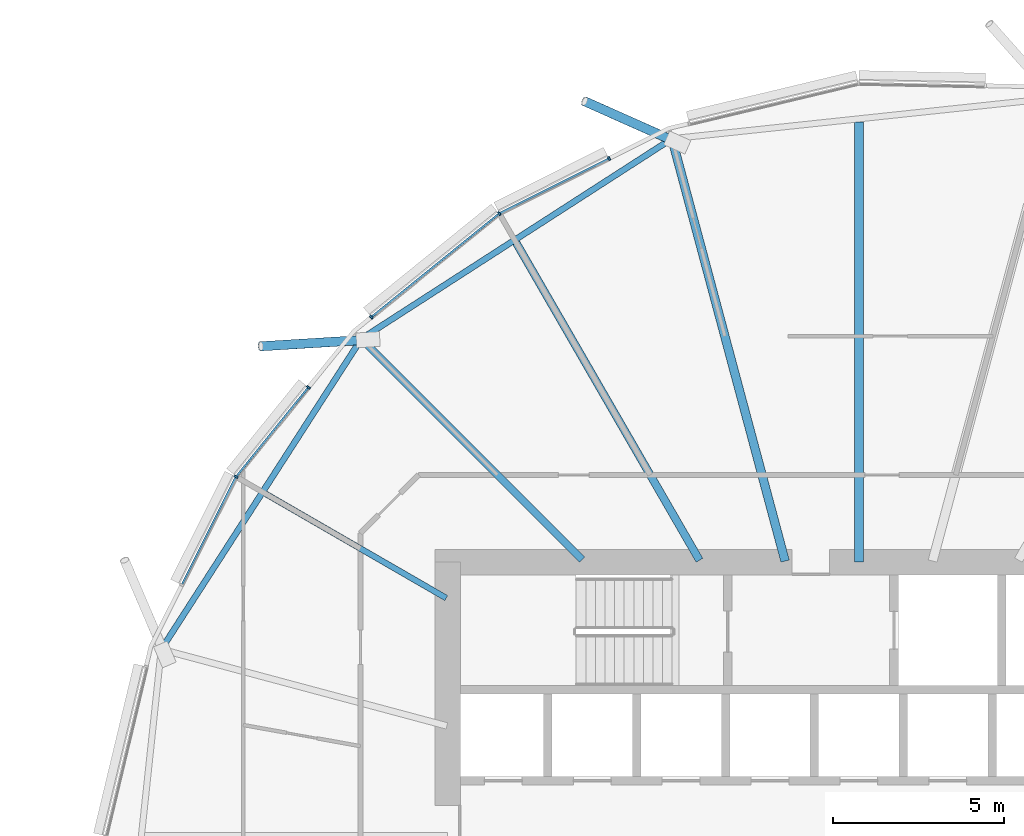
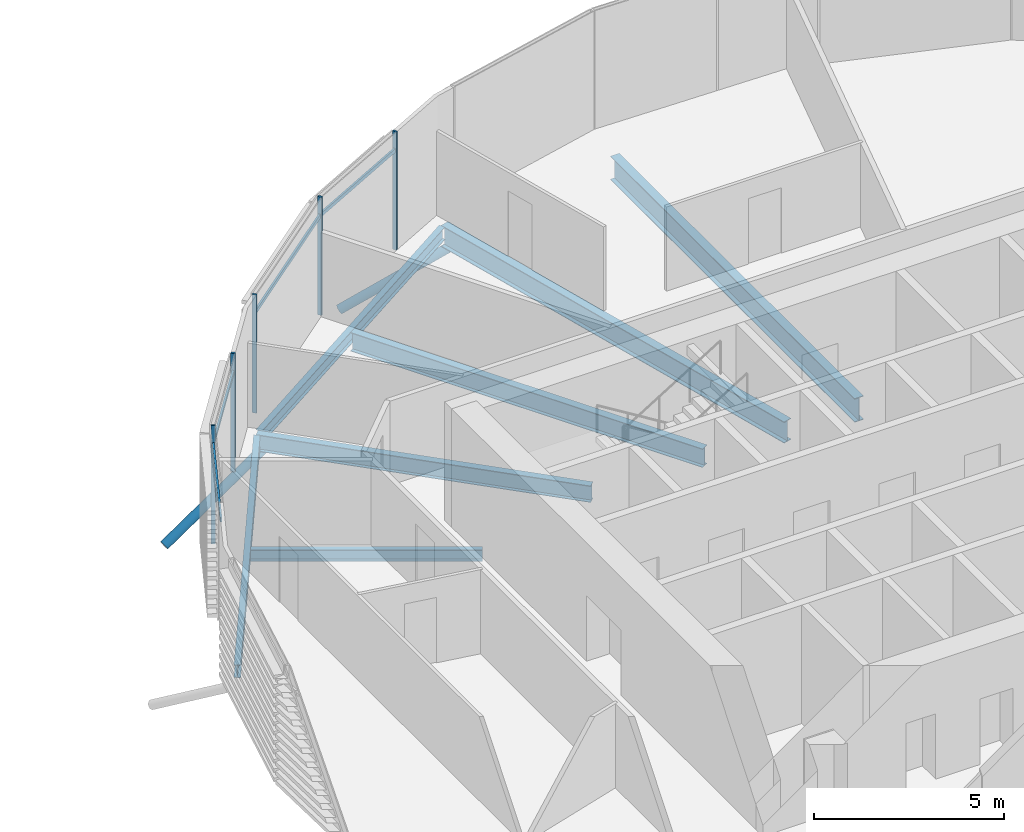
# One storey, part 17 of 39: 11 members, 7 beams, 1 element without a shape of its own.
"""IFC4 building model written with IfcOpenShell, lengths in metres."""

from ifc_helpers import new_model, si_unit, direction, frame, origin, origin_2d, place, context, subcontext, project, spatial, rectangle, hollow_circle, i_section, extrude, clip, halfspace, material, material_profile, profile_set, type_object, element, aggregate, save


model = new_model("IFC4")

# Units and contexts
model_context = context("Model", 3, precision=1e-05, world=origin(), true_north=direction((0.0, 1.0)))
body_context = subcontext(model_context, "Body", "Model", "MODEL_VIEW")
ifc_project = project(units=[si_unit("LENGTHUNIT", "METRE"), si_unit("AREAUNIT", "SQUARE_METRE"), si_unit("VOLUMEUNIT", "CUBIC_METRE"), si_unit("PLANEANGLEUNIT", "RADIAN"), si_unit("MASSUNIT", "GRAM", prefix="KILO")], contexts=[model_context])

# Site, building, storey
site_placement = place(None, origin())
site = spatial("IfcSite", under=ifc_project, at=site_placement, CompositionType="ELEMENT")
building_placement = place(site_placement, origin())
building = spatial("IfcBuilding", under=site, at=building_placement, Name="Rimbun Link Towers", CompositionType="ELEMENT")
storey_placement = place(building_placement, frame((0.0, 0.0, 112.0)))
storey = spatial("IfcBuildingStorey", under=building, at=storey_placement, Name="L27", CompositionType="ELEMENT", Elevation=112.0)

# Curtain wall, members
ifc_material_1 = material(Name="Aluminium 6063-T6 and low-iron glass", Category="aluminium")
curtain_wall_type = type_object("IfcCurtainWallType", Name="CW1-Z2 unitised vision wall (zone 2)", PredefinedType="NOTDEFINED", material=ifc_material_1)
curtain_wall_placement = place(storey_placement, origin())
curtain_wall = element("IfcCurtainWall", 1, at=curtain_wall_placement, inside=storey, type_object=curtain_wall_type, Name="CW1 L27 T2", PredefinedType="NOTDEFINED")
ifc_material_2 = material(Name="Aluminium 6063-T6", Category="aluminium")
ifc_material_profile_1 = material_profile(ifc_material_2, rectangle(XDim=0.1201171875, YDim=0.06005859375, at=origin_2d()), Name="MULLION 60X120")
ifc_profile_set_1 = profile_set([ifc_material_profile_1], Name="Aluminium 6063-T6")
member_type_1 = type_object("IfcMemberType", Name="CW1 mullion 60X120", PredefinedType="MULLION", material=ifc_profile_set_1)
member_1_placement = place(storey_placement, frame((21.251953125, 18.177001953125, 0.0), z_axis=(0.0, 0.0, 1.0), x_axis=(-0.542101055095, 0.840313302325, 0.0)))
member_1 = element("IfcMember", 2, at=member_1_placement, type_object=member_type_1, Name="CW1 mullion", PredefinedType="MULLION", context=body_context, shape_type="SweptSolid", body=[
    extrude(rectangle(XDim=0.1201171875, YDim=0.06005859375, at=origin_2d()), origin(), (0.0, 0.0, 1.0), 3.800048828125),
])
member_2_placement = place(storey_placement, frame((24.458251953125, 19.78759765625, 0.0), z_axis=(0.0, 0.0, 1.0), x_axis=(-0.448789312905, 0.893637595797, 0.0)))
member_2 = element("IfcMember", 3, at=member_2_placement, type_object=member_type_1, Name="CW1 mullion", PredefinedType="MULLION", context=body_context, shape_type="SweptSolid", body=[
    extrude(rectangle(XDim=0.1201171875, YDim=0.06005859375, at=origin_2d()), origin(), (0.0, 0.0, 1.0), 3.800048828125),
])
member_3_placement = place(storey_placement, frame((17.51806640625, 15.155029296875, 0.0), z_axis=(0.0, 0.0, 1.0), x_axis=(-0.629151225693, 0.777282918383, 0.0)))
member_3 = element("IfcMember", 4, at=member_3_placement, type_object=member_type_1, Name="CW1 mullion", PredefinedType="MULLION", context=body_context, shape_type="SweptSolid", body=[
    extrude(rectangle(XDim=0.1201171875, YDim=0.06005859375, at=origin_2d()), origin(), (0.0, 0.0, 1.0), 3.800048828125),
])
member_4_placement = place(storey_placement, frame((13.572998046875, 10.498046875, 0.0), z_axis=(0.0, 0.0, 1.0), x_axis=(-0.840313302325, 0.542101055095, 0.0)))
member_4 = element("IfcMember", 5, at=member_4_placement, type_object=member_type_1, Name="CW1 mullion", PredefinedType="MULLION", context=body_context, shape_type="SweptSolid", body=[
    extrude(rectangle(XDim=0.1201171875, YDim=0.06005859375, at=origin_2d()), origin(), (0.0, 0.0, 1.0), 3.800048828125),
])
member_5_placement = place(storey_placement, frame((15.682861328125, 13.104736328125, 0.0), z_axis=(0.0, 0.0, 1.0), x_axis=(-0.777282918383, 0.629151225693, 0.0)))
member_5 = element("IfcMember", 6, at=member_5_placement, type_object=member_type_1, Name="CW1 mullion", PredefinedType="MULLION", context=body_context, shape_type="SweptSolid", body=[
    extrude(rectangle(XDim=0.1201171875, YDim=0.06005859375, at=origin_2d()), origin(), (0.0, 0.0, 1.0), 3.800048828125),
])
ifc_material_3 = material(Name="Aluminium 6063-T6", Category="aluminium")
ifc_material_profile_2 = material_profile(ifc_material_3, rectangle(XDim=0.06005859375, YDim=0.1201171875, at=origin_2d()), Name="TRANSOM 60X120")
ifc_profile_set_2 = profile_set([ifc_material_profile_2], Name="Aluminium 6063-T6")
member_type_2 = type_object("IfcMemberType", Name="CW1 transom 60X120", PredefinedType="USERDEFINED", material=ifc_profile_set_2)
member_6_placement = place(storey_placement, frame((21.285400390625, 18.19189453125, 3.199951171875), z_axis=(0.893649359274, 0.448765888486, 0.0), x_axis=(-0.448765888486, 0.893649359274, 0.0)))
member_6 = element("IfcMember", 7, at=member_6_placement, type_object=member_type_2, Name="CW1 transom", ObjectType="TRANSOM", PredefinedType="USERDEFINED", context=body_context, shape_type="SweptSolid", body=[
    extrude(rectangle(XDim=0.06005859375, YDim=0.1201171875, at=origin_2d()), origin(), (0.0, 0.0, 1.0), 3.521484375),
])
member_7_placement = place(storey_placement, frame((17.542724609375, 15.17236328125, 3.199951171875), z_axis=(0.777301277358, 0.629128543477, 0.0), x_axis=(-0.629128543477, 0.777301277358, 0.0)))
member_7 = element("IfcMember", 8, at=member_7_placement, type_object=member_type_2, Name="CW1 transom", ObjectType="TRANSOM", PredefinedType="USERDEFINED", context=body_context, shape_type="SweptSolid", body=[
    extrude(rectangle(XDim=0.06005859375, YDim=0.1201171875, at=origin_2d()), origin(), (0.0, 0.0, 1.0), 4.737060546875),
])
member_8_placement = place(storey_placement, frame((13.597412109375, 10.525146484375, 3.199951171875), z_axis=(0.629131994788, 0.777298483939, 0.0), x_axis=(-0.777298483939, 0.629131994788, 0.0)))
member_8 = element("IfcMember", 9, at=member_8_placement, type_object=member_type_2, Name="CW1 transom", ObjectType="TRANSOM", PredefinedType="USERDEFINED", context=body_context, shape_type="SweptSolid", body=[
    extrude(rectangle(XDim=0.06005859375, YDim=0.1201171875, at=origin_2d()), origin(), (0.0, 0.0, 1.0), 3.287353515625),
])
member_9_placement = place(storey_placement, frame((12.000244140625, 7.3623046875, 3.199951171875), z_axis=(0.448760132623, 0.893652249686, 0.0), x_axis=(-0.893652249686, 0.448760132623, 0.0)))
member_9 = element("IfcMember", 10, at=member_9_placement, type_object=member_type_2, Name="CW1 transom", ObjectType="TRANSOM", PredefinedType="USERDEFINED", context=body_context, shape_type="SweptSolid", body=[
    extrude(rectangle(XDim=0.06005859375, YDim=0.1201171875, at=origin_2d()), origin(), (0.0, 0.0, 1.0), 3.471435546875),
])
aggregate(curtain_wall, [member_1, member_2, member_3, member_4, member_5, member_6, member_7, member_8, member_9])

# Members
ifc_material_4 = material(Name="Steel S355J2H", Category="steel")
ifc_material_profile_3 = material_profile(ifc_material_4, hollow_circle(Radius=0.136474609375, WallThickness=0.012451171875, at=origin_2d()), Name="CHS 273x12.5")
ifc_profile_set_3 = profile_set([ifc_material_profile_3], Name="Steel S355J2H")
member_type_3 = type_object("IfcMemberType", Name="Floor edge link CHS 273x12.5", PredefinedType="BRACE", material=ifc_profile_set_3)
member_10_placement = place(storey_placement, frame((26.306884765625, 20.314208984375, -0.959716796875), z_axis=(-0.777967753912, 0.346592241229, -0.524061057695), x_axis=(-0.406950918212, -0.913450026091, 0.0)))
element("IfcMember", 11, at=member_10_placement, inside=storey, type_object=member_type_3, Name="Floor edge link T2 L27 04", PredefinedType="BRACE", context=body_context, shape_type="Clipping", body=[
    clip(extrude(hollow_circle(Radius=0.136474609375, WallThickness=0.012451171875, at=origin_2d()), frame((0.0, 0.0, -0.462890625)), (0.0, 0.0, 1.0), 3.7685546875), halfspace(frame((0.0, 0.0, -0.218017578125), z_axis=(0.0, 0.851680695923, -0.524061057695)), False)),
])
member_11_placement = place(storey_placement, frame((17.263671875, 14.486328125, -0.81005859375), z_axis=(-0.853503748144, -0.052396481224, -0.518445716213), x_axis=(0.061274512053, -0.998120951675, 0.0)))
element("IfcMember", 12, at=member_11_placement, inside=storey, type_object=member_type_3, Name="Floor edge link T2 L27 06", PredefinedType="BRACE", context=body_context, shape_type="Clipping", body=[
    clip(extrude(hollow_circle(Radius=0.136474609375, WallThickness=0.012451171875, at=origin_2d()), frame((0.0, 0.0, -0.469482421875)), (0.0, 0.0, 1.0), 3.964111328125), halfspace(frame((0.0, 0.0, -0.2216796875), z_axis=(0.0, 0.855110542176, -0.518445716213)), False)),
])

# Beams
ifc_material_5 = material(Name="Steel S355J2", Category="steel")
ifc_material_profile_4 = material_profile(ifc_material_5, i_section(OverallWidth=0.17138671875, OverallDepth=0.35498046875, WebThickness=0.00732421875, FlangeThickness=0.011474609375, at=origin_2d()), Name="UB 356x171x51")
ifc_profile_set_4 = profile_set([ifc_material_profile_4], Name="Steel S355J2")
beam_type_1 = type_object("IfcBeamType", Name="UB 356x171x51", PredefinedType="BEAM", material=ifc_profile_set_4)
beam_1_placement = place(storey_placement, frame((19.706298828125, 6.95361328125, -0.33740234375), z_axis=(-0.866034943807, 0.499983475832, 0.0), x_axis=(-0.499983475832, -0.866034943807, 0.0)))
element("IfcBeam", 13, at=beam_1_placement, inside=storey, type_object=beam_type_1, Name="Radial beam T2 L27 07", PredefinedType="BEAM", context=body_context, shape_type="SweptSolid", body=[
    extrude(i_section(OverallWidth=0.17138671875, OverallDepth=0.35498046875, WebThickness=0.00732421875, FlangeThickness=0.011474609375, at=origin_2d()), origin(), (0.0, 0.0, 1.0), 6.099365234375),
])
ifc_material_6 = material(Name="Steel S355J2", Category="steel")
ifc_material_profile_5 = material_profile(ifc_material_6, i_section(OverallWidth=0.177978515625, OverallDepth=0.406494140625, WebThickness=0.0078125, FlangeThickness=0.0126953125, at=origin_2d()), Name="UB 406x178x60")
ifc_profile_set_5 = profile_set([ifc_material_profile_5], Name="Steel S355J2")
beam_type_2 = type_object("IfcBeamType", Name="UB 406x178x60", PredefinedType="BEAM", material=ifc_profile_set_5)
beam_2_placement = place(storey_placement, frame((26.18115234375, 20.289794921875, -0.36328125), z_axis=(-0.840631019064, -0.541608243832, 0.0), x_axis=(0.541608243832, -0.840631019064, 0.0)))
element("IfcBeam", 14, at=beam_2_placement, inside=storey, type_object=beam_type_2, Name="Edge beam T2 L27 04-06", PredefinedType="BEAM", context=body_context, shape_type="SweptSolid", body=[
    extrude(i_section(OverallWidth=0.177978515625, OverallDepth=0.406494140625, WebThickness=0.0078125, FlangeThickness=0.0126953125, at=origin_2d()), origin(), (0.0, 0.0, 1.0), 10.542236328125),
])
beam_3_placement = place(storey_placement, frame((17.169921875, 14.430908203125, -0.36328125), z_axis=(-0.541606725236, -0.840631997475, 0.0), x_axis=(0.840631997475, -0.541606725236, 0.0)))
element("IfcBeam", 15, at=beam_3_placement, inside=storey, type_object=beam_type_2, Name="Edge beam T2 L27 06-08", PredefinedType="BEAM", context=body_context, shape_type="SweptSolid", body=[
    extrude(i_section(OverallWidth=0.177978515625, OverallDepth=0.406494140625, WebThickness=0.0078125, FlangeThickness=0.0126953125, at=origin_2d()), origin(), (0.0, 0.0, 1.0), 10.575439453125),
])
ifc_material_7 = material(Name="Steel S355J2", Category="steel")
ifc_material_profile_6 = material_profile(ifc_material_7, i_section(OverallWidth=0.209228515625, OverallDepth=0.533203125, WebThickness=0.010009765625, FlangeThickness=0.015625, at=origin_2d()), Name="UB 533x210x92")
ifc_profile_set_6 = profile_set([ifc_material_profile_6], Name="Steel S355J2")
beam_type_3 = type_object("IfcBeamType", Name="UB 533x210x92", PredefinedType="BEAM", material=ifc_profile_set_6)
beam_4_placement = place(storey_placement, frame((23.67529296875, 8.07470703125, -0.426513671875), z_axis=(-0.707106781187, 0.707106781187, 0.0), x_axis=(-0.707106781187, -0.707106781187, 0.0)))
element("IfcBeam", 16, at=beam_4_placement, inside=storey, type_object=beam_type_3, Name="Radial beam T2 L27 06", PredefinedType="BEAM", context=body_context, shape_type="SweptSolid", body=[
    extrude(i_section(OverallWidth=0.209228515625, OverallDepth=0.533203125, WebThickness=0.010009765625, FlangeThickness=0.015625, at=origin_2d()), origin(), (0.0, 0.0, 1.0), 9.1171875),
])
ifc_material_8 = material(Name="Steel S355J2", Category="steel")
ifc_material_profile_7 = material_profile(ifc_material_8, i_section(OverallWidth=0.2275390625, OverallDepth=0.6025390625, WebThickness=0.010498046875, FlangeThickness=0.014892578125, at=origin_2d()), Name="UB 610x229x101")
ifc_profile_set_7 = profile_set([ifc_material_profile_7], Name="Steel S355J2")
beam_type_4 = type_object("IfcBeamType", Name="UB 610x229x101", PredefinedType="BEAM", material=ifc_profile_set_7)
beam_5_placement = place(storey_placement, frame((27.097900390625, 8.057861328125, -0.461181640625), z_axis=(-0.500010763282, 0.866019189511, 0.0), x_axis=(-0.866019189511, -0.500010763282, 0.0)))
element("IfcBeam", 17, at=beam_5_placement, inside=storey, type_object=beam_type_4, Name="Radial beam T2 L27 05", PredefinedType="BEAM", context=body_context, shape_type="SweptSolid", body=[
    extrude(i_section(OverallWidth=0.2275390625, OverallDepth=0.6025390625, WebThickness=0.010498046875, FlangeThickness=0.014892578125, at=origin_2d()), origin(), (0.0, 0.0, 1.0), 10.701904296875),
])
ifc_material_9 = material(Name="Steel S355J2", Category="steel")
ifc_material_profile_8 = material_profile(ifc_material_9, i_section(OverallWidth=0.253662109375, OverallDepth=0.68359375, WebThickness=0.012451171875, FlangeThickness=0.01904296875, at=origin_2d()), Name="UB 686x254x140")
ifc_profile_set_8 = profile_set([ifc_material_profile_8], Name="Steel S355J2")
beam_type_5 = type_object("IfcBeamType", Name="UB 686x254x140", PredefinedType="BEAM", material=ifc_profile_set_8)
beam_6_placement = place(storey_placement, frame((29.597412109375, 8.03369140625, -0.501708984375), z_axis=(-0.258820859761, 0.965925340051, 0.0), x_axis=(-0.965925340051, -0.258820859761, 0.0)))
element("IfcBeam", 18, at=beam_6_placement, inside=storey, type_object=beam_type_5, Name="Radial beam T2 L27 04", PredefinedType="BEAM", context=body_context, shape_type="SweptSolid", body=[
    extrude(i_section(OverallWidth=0.253662109375, OverallDepth=0.68359375, WebThickness=0.012451171875, FlangeThickness=0.01904296875, at=origin_2d()), origin(), (0.0, 0.0, 1.0), 12.763427734375),
])
ifc_material_10 = material(Name="Steel S355J2", Category="steel")
ifc_material_profile_9 = material_profile(ifc_material_10, i_section(OverallWidth=0.2666015625, OverallDepth=0.76220703125, WebThickness=0.014404296875, FlangeThickness=0.021484375, at=origin_2d()), Name="UB 762x267x173")
ifc_profile_set_9 = profile_set([ifc_material_profile_9], Name="Steel S355J2")
beam_type_6 = type_object("IfcBeamType", Name="UB 762x267x173", PredefinedType="BEAM", material=ifc_profile_set_9)
beam_7_placement = place(storey_placement, frame((31.75, 8.0009765625, -0.541015625), z_axis=(0.0, 1.0, 0.0), x_axis=(-1.0, 0.0, 0.0)))
element("IfcBeam", 19, at=beam_7_placement, inside=storey, type_object=beam_type_6, Name="Radial beam T2 L27 03", PredefinedType="BEAM", context=body_context, shape_type="SweptSolid", body=[
    extrude(i_section(OverallWidth=0.2666015625, OverallDepth=0.76220703125, WebThickness=0.014404296875, FlangeThickness=0.021484375, at=origin_2d()), origin(), (0.0, 0.0, 1.0), 12.8515625),
])

save(model, "model.ifc")
